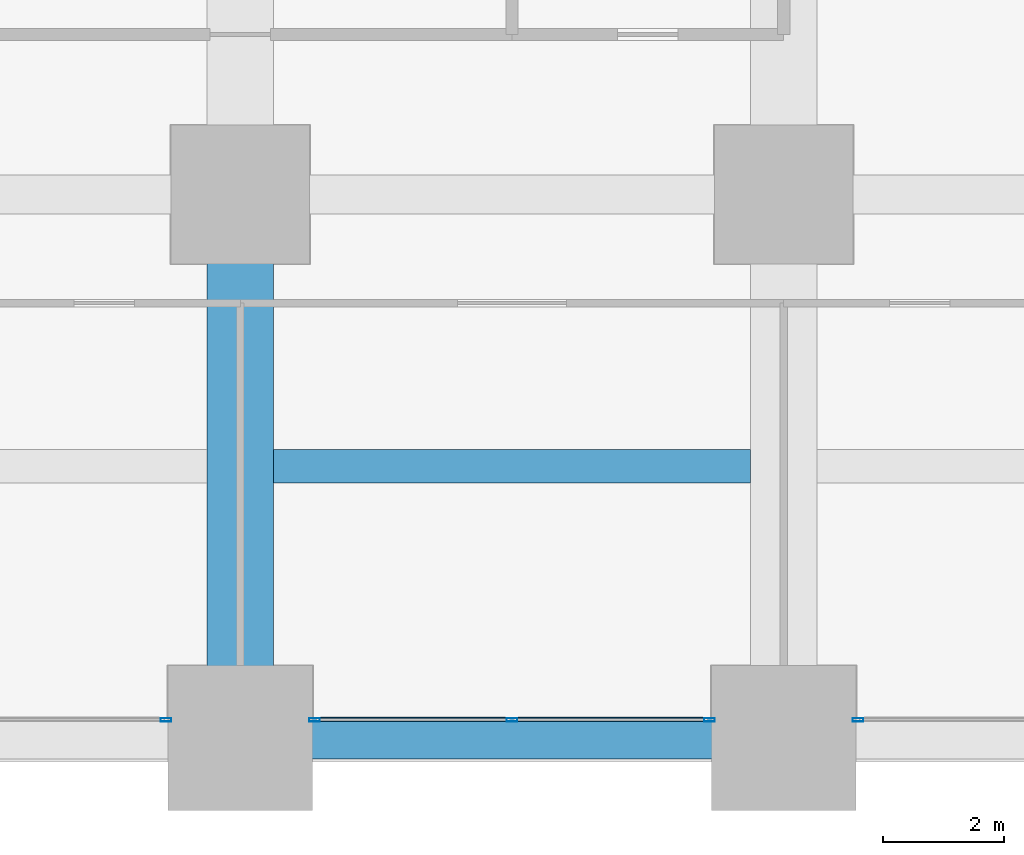
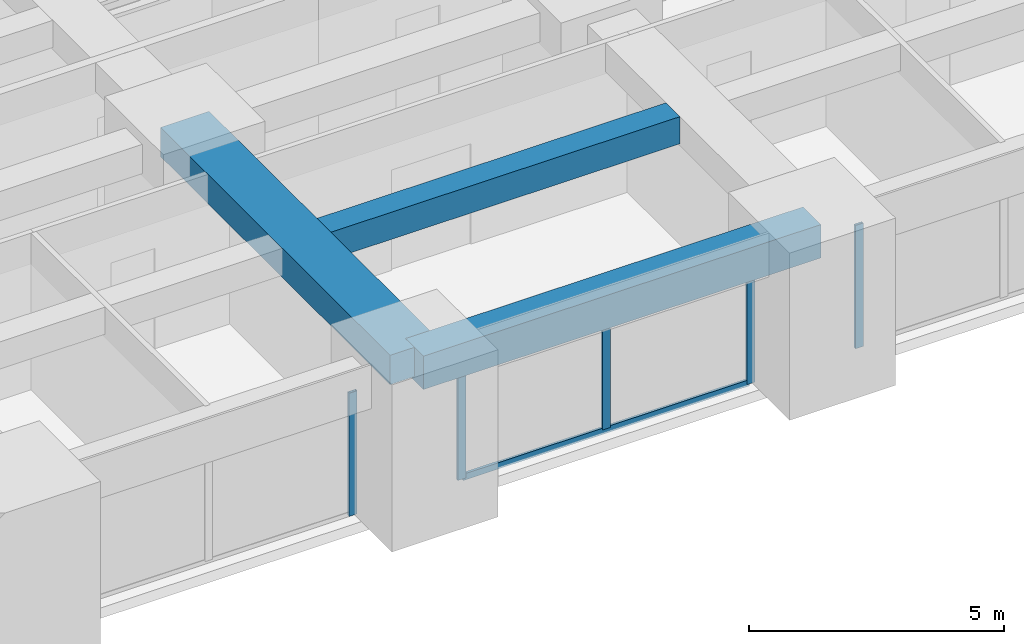
# One storey, part 6 of 44: 6 members, 3 beams, 3 elements without a shape of their own.
"""IFC4 building model written with IfcOpenShell, lengths in metres."""

from ifc_helpers import new_model, si_unit, direction, frame, origin, origin_2d, place, context, subcontext, project, spatial, rectangle, hollow_rectangle, extrude, material, material_profile, profile_set, type_object, element, aggregate, save


model = new_model("IFC4")

# Units and contexts
model_context = context("Model", 3, precision=1e-05, world=origin(), true_north=direction((0.0, 1.0)))
body_context = subcontext(model_context, "Body", "Model", "MODEL_VIEW")
ifc_project = project(units=[si_unit("LENGTHUNIT", "METRE"), si_unit("AREAUNIT", "SQUARE_METRE"), si_unit("VOLUMEUNIT", "CUBIC_METRE"), si_unit("PLANEANGLEUNIT", "RADIAN"), si_unit("MASSUNIT", "GRAM", prefix="KILO")], contexts=[model_context])

# Site, building, storey
site_placement = place(None, origin())
site = spatial("IfcSite", under=ifc_project, at=site_placement, CompositionType="ELEMENT")
building_placement = place(site_placement, origin())
building = spatial("IfcBuilding", under=site, at=building_placement, Name="Zorevar Civic Tower", CompositionType="ELEMENT")
storey_placement = place(building_placement, frame((0.0, 0.0, 31.800048828125)))
storey = spatial("IfcBuildingStorey", under=building, at=storey_placement, Name="L07", CompositionType="ELEMENT", Elevation=31.800048828125)

# Beams
ifc_material_1 = material(Name="Concrete C50/60", Category="concrete")
ifc_material_profile_1 = material_profile(ifc_material_1, rectangle(XDim=1.10009765625, YDim=0.699951171875, at=origin_2d()), Name="RC 1100x700")
ifc_profile_set_1 = profile_set([ifc_material_profile_1], Name="Concrete C50/60")
beam_type_1 = type_object("IfcBeamType", Name="Beam RC 1100x700", PredefinedType="BEAM", material=ifc_profile_set_1)
beam_1_placement = place(storey_placement, frame((18.0, 0.0, 3.39990234375), z_axis=(0.0, 1.0, 0.0), x_axis=(-1.0, 0.0, 0.0)))
element("IfcBeam", 1, at=beam_1_placement, inside=storey, type_object=beam_type_1, Name="Girder L08", PredefinedType="BEAM", context=body_context, shape_type="SweptSolid", body=[
    extrude(rectangle(XDim=1.10009765625, YDim=0.699951171875, at=origin_2d()), origin(), (0.0, 0.0, 1.0), 9.0),
])
ifc_material_2 = material(Name="Concrete C50/60", Category="concrete")
ifc_material_profile_2 = material_profile(ifc_material_2, rectangle(XDim=0.550048828125, YDim=0.64990234375, at=origin_2d()), Name="RC 550x650")
ifc_profile_set_2 = profile_set([ifc_material_profile_2], Name="Concrete C50/60")
beam_type_2 = type_object("IfcBeamType", Name="Beam RC 550x650", PredefinedType="BEAM", material=ifc_profile_set_2)
beam_2_placement = place(storey_placement, frame((18.550048828125, 4.5, 3.425048828125), z_axis=(1.0, 0.0, 0.0), x_axis=(0.0, 1.0, 0.0)))
element("IfcBeam", 2, at=beam_2_placement, inside=storey, type_object=beam_type_2, Name="Secondary beam L08", PredefinedType="BEAM", context=body_context, shape_type="SweptSolid", body=[
    extrude(rectangle(XDim=0.550048828125, YDim=0.64990234375, at=origin_2d()), origin(), (0.0, 0.0, 1.0), 7.89990234375),
])

# Curtain wall, member
ifc_material_3 = material(Name="Dark grey solar-control glass in black aluminium frame", Category="aluminium")
curtain_wall_type = type_object("IfcCurtainWallType", Name="Curtain wall CW2 low zone", PredefinedType="NOTDEFINED", material=ifc_material_3)
curtain_wall_1_placement = place(storey_placement, origin())
curtain_wall_1 = element("IfcCurtainWall", 3, at=curtain_wall_1_placement, inside=storey, type_object=curtain_wall_type, Name="CW2 L07", PredefinedType="NOTDEFINED")
ifc_material_4 = material(Name="Aluminium, black anodised", Category="aluminium")
ifc_material_profile_3 = material_profile(ifc_material_4, hollow_rectangle(XDim=0.06005859375, YDim=0.179931640625, WallThickness=0.00390625, at=origin_2d()), Name="AL 180x60x4")
ifc_profile_set_3 = profile_set([ifc_material_profile_3], Name="Aluminium, black anodised")
member_type_1 = type_object("IfcMemberType", Name="CW2 mullion AL 180x60x4", PredefinedType="MULLION", material=ifc_profile_set_3)
member_1_placement = place(storey_placement, frame((16.77001953125, 0.300048828125, 0.0), z_axis=(0.0, 0.0, 1.0), x_axis=(0.0, 1.0, 0.0)))
member_1 = element("IfcMember", 4, at=member_1_placement, type_object=member_type_1, Name="CW2 mullion 3", PredefinedType="MULLION", context=body_context, shape_type="SweptSolid", body=[
    extrude(hollow_rectangle(XDim=0.06005859375, YDim=0.179931640625, WallThickness=0.00390625, at=origin_2d()), origin(), (0.0, 0.0, 1.0), 2.949951171875),
])
aggregate(curtain_wall_1, [member_1])

# Curtain wall, members
curtain_wall_2_placement = place(storey_placement, origin())
curtain_wall_2 = element("IfcCurtainWall", 5, at=curtain_wall_2_placement, inside=storey, type_object=curtain_wall_type, Name="CW2 L07", PredefinedType="NOTDEFINED")
member_2_placement = place(storey_placement, frame((19.22998046875, 0.300048828125, 0.0), z_axis=(0.0, 0.0, 1.0), x_axis=(0.0, 1.0, 0.0)))
member_2 = element("IfcMember", 6, at=member_2_placement, type_object=member_type_1, Name="CW2 mullion 1", PredefinedType="MULLION", context=body_context, shape_type="SweptSolid", body=[
    extrude(hollow_rectangle(XDim=0.06005859375, YDim=0.179931640625, WallThickness=0.00390625, at=origin_2d()), origin(), (0.0, 0.0, 1.0), 2.949951171875),
])
member_3_placement = place(storey_placement, frame((22.5, 0.300048828125, 0.06005859375), z_axis=(0.0, 0.0, 1.0), x_axis=(0.0, 1.0, 0.0)))
member_3 = element("IfcMember", 7, at=member_3_placement, type_object=member_type_1, Name="CW2 mullion 2", PredefinedType="MULLION", context=body_context, shape_type="SweptSolid", body=[
    extrude(hollow_rectangle(XDim=0.06005859375, YDim=0.179931640625, WallThickness=0.00390625, at=origin_2d()), origin(), (0.0, 0.0, 1.0), 2.889892578125),
])
member_4_placement = place(storey_placement, frame((25.77001953125, 0.300048828125, 0.0), z_axis=(0.0, 0.0, 1.0), x_axis=(0.0, 1.0, 0.0)))
member_4 = element("IfcMember", 8, at=member_4_placement, type_object=member_type_1, Name="CW2 mullion 3", PredefinedType="MULLION", context=body_context, shape_type="SweptSolid", body=[
    extrude(hollow_rectangle(XDim=0.06005859375, YDim=0.179931640625, WallThickness=0.00390625, at=origin_2d()), origin(), (0.0, 0.0, 1.0), 2.949951171875),
])

# Curtain wall, member
curtain_wall_3_placement = place(storey_placement, origin())
curtain_wall_3 = element("IfcCurtainWall", 9, at=curtain_wall_3_placement, inside=storey, type_object=curtain_wall_type, Name="CW2 L07", PredefinedType="NOTDEFINED")
member_5_placement = place(storey_placement, frame((28.22998046875, 0.300048828125, 0.0), z_axis=(0.0, 0.0, 1.0), x_axis=(0.0, 1.0, 0.0)))
member_5 = element("IfcMember", 10, at=member_5_placement, type_object=member_type_1, Name="CW2 mullion 1", PredefinedType="MULLION", context=body_context, shape_type="SweptSolid", body=[
    extrude(hollow_rectangle(XDim=0.06005859375, YDim=0.179931640625, WallThickness=0.00390625, at=origin_2d()), origin(), (0.0, 0.0, 1.0), 2.949951171875),
])
aggregate(curtain_wall_3, [member_5])

# Member
ifc_material_5 = material(Name="Aluminium, black anodised", Category="aluminium")
ifc_material_profile_4 = material_profile(ifc_material_5, hollow_rectangle(XDim=0.06005859375, YDim=0.14990234375, WallThickness=0.00390625, at=origin_2d()), Name="AL 150x60x4")
ifc_profile_set_4 = profile_set([ifc_material_profile_4], Name="Aluminium, black anodised")
member_type_2 = type_object("IfcMemberType", Name="CW2 transom AL 150x60x4", PredefinedType="USERDEFINED", material=ifc_profile_set_4)
member_6_placement = place(storey_placement, frame((19.260009765625, 0.300048828125, 0.030029296875), z_axis=(1.0, 0.0, 0.0), x_axis=(0.0, 1.0, 0.0)))
member_6 = element("IfcMember", 11, at=member_6_placement, type_object=member_type_2, Name="CW2 sill transom", ObjectType="TRANSOM", PredefinedType="USERDEFINED", context=body_context, shape_type="SweptSolid", body=[
    extrude(hollow_rectangle(XDim=0.06005859375, YDim=0.14990234375, WallThickness=0.00390625, at=origin_2d()), origin(), (0.0, 0.0, 1.0), 6.47998046875),
])

aggregate(curtain_wall_2, [member_2, member_3, member_4, member_6])

# Beam
ifc_material_6 = material(Name="Concrete C50/60", Category="concrete")
ifc_material_profile_5 = material_profile(ifc_material_6, rectangle(XDim=0.699951171875, YDim=0.800048828125, at=origin_2d()), Name="RC 700x800")
ifc_profile_set_5 = profile_set([ifc_material_profile_5], Name="Concrete C50/60")
beam_type_3 = type_object("IfcBeamType", Name="Edge beam RC 700x800", PredefinedType="SPANDREL", material=ifc_profile_set_5)
beam_3_placement = place(storey_placement, frame((18.0, 0.0, 3.349853515625), z_axis=(1.0, 0.0, 0.0), x_axis=(0.0, 1.0, 0.0)))
element("IfcBeam", 12, at=beam_3_placement, inside=storey, type_object=beam_type_3, Name="Edge beam L08", PredefinedType="SPANDREL", context=body_context, shape_type="SweptSolid", body=[
    extrude(rectangle(XDim=0.699951171875, YDim=0.800048828125, at=origin_2d()), origin(), (0.0, 0.0, 1.0), 9.0),
])

save(model, "model.ifc")
